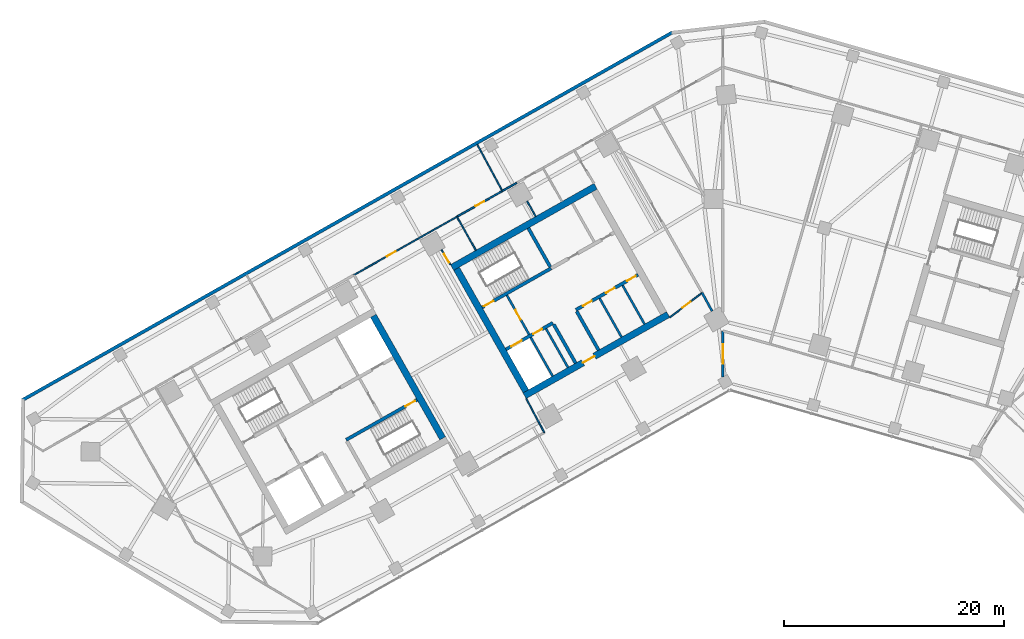
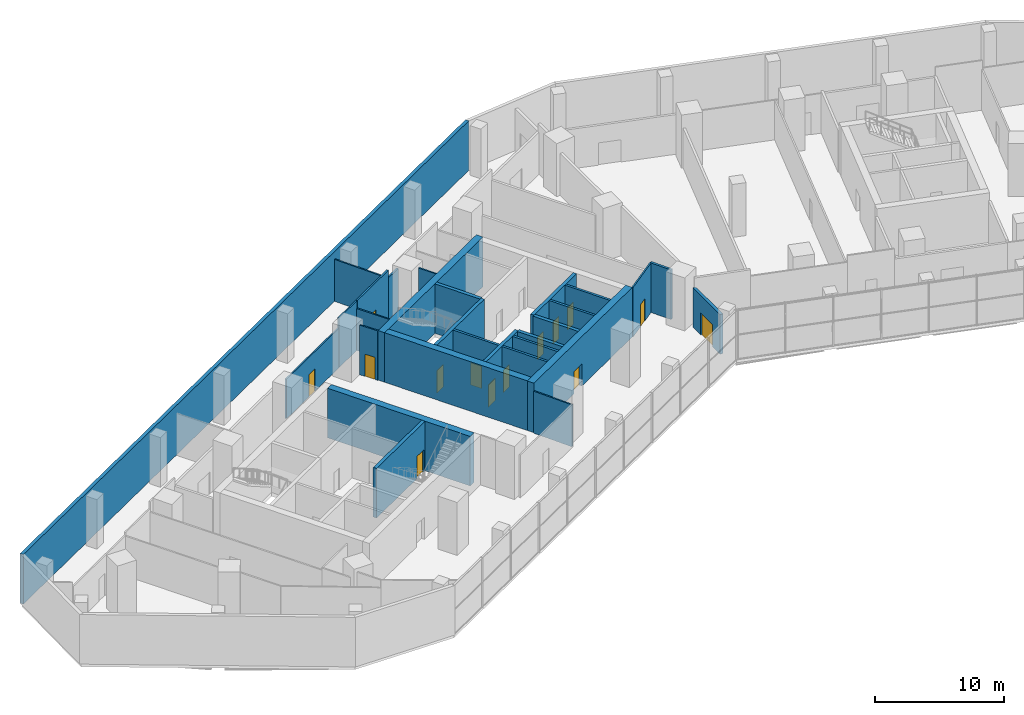
# One storey, part 9 of 16: 29 walls, 14 doors, 14 openings.
"""IFC4 building model written with IfcOpenShell, lengths in metres."""

from ifc_helpers import new_model, si_unit, direction, frame, frame_2d, origin, place, context, subcontext, project, spatial, rectangle, extrude, material, layer, layer_set, type_object, element, fill, save


model = new_model("IFC4")

# Units and contexts
model_context = context("Model", 3, precision=1e-05, world=origin(), true_north=direction((0.0, 1.0)))
body_context = subcontext(model_context, "Body", "Model", "MODEL_VIEW")
ifc_project = project(units=[si_unit("LENGTHUNIT", "METRE"), si_unit("AREAUNIT", "SQUARE_METRE"), si_unit("VOLUMEUNIT", "CUBIC_METRE"), si_unit("PLANEANGLEUNIT", "RADIAN"), si_unit("MASSUNIT", "GRAM", prefix="KILO")], contexts=[model_context])

# Site, building, storey
site_placement = place(None, origin())
site = spatial("IfcSite", under=ifc_project, at=site_placement, CompositionType="ELEMENT")
building_placement = place(site_placement, origin())
building = spatial("IfcBuilding", under=site, at=building_placement, Name="Binnacle Exchange Tower", CompositionType="ELEMENT")
storey_placement = place(building_placement, frame((0.0, 0.0, 21.5)))
storey = spatial("IfcBuildingStorey", under=building, at=storey_placement, Name="L04", CompositionType="ELEMENT", Elevation=21.5)

# Walls
ifc_material_1 = material(Name="Gypsum partition fire rated")
ifc_layer_1 = layer(ifc_material_1, 0.199951171875)
ifc_layer_set_1 = layer_set([ifc_layer_1], Name="Core partition 200")
wall_type_1 = type_object("IfcWallType", Name="Core partition 200", PredefinedType="PARTITIONING", material=ifc_layer_set_1)
wall_1_placement = place(storey_placement, frame((-11.201904296875, 50.96240234375, 0.0), z_axis=(0.0, 0.0, 1.0), x_axis=(0.49241474071, -0.870360685654, 0.0)))
element("IfcWall", 1, at=wall_1_placement, inside=storey, type_object=wall_type_1, Name="Core wall CRWC19", PredefinedType="PARTITIONING", context=body_context, shape_type="SweptSolid", body=[
    extrude(rectangle(XDim=4.05029296875, YDim=0.199951171875, at=frame_2d((2.025146484375, 0.0))), origin(), (0.0, 0.0, 1.0), 4.679931640625),
])
wall_2_placement = place(storey_placement, frame((-9.11279296875, 52.14404296875, 0.0), z_axis=(0.0, 0.0, 1.0), x_axis=(0.492394910396, -0.870371904542, 0.0)))
element("IfcWall", 2, at=wall_2_placement, inside=storey, type_object=wall_type_1, Name="Core wall CRWC22", PredefinedType="PARTITIONING", context=body_context, shape_type="SweptSolid", body=[
    extrude(rectangle(XDim=4.0498046875, YDim=0.199951171875, at=frame_2d((2.02490234375, 0.0))), origin(), (0.0, 0.0, 1.0), 4.679931640625),
])

# Wall, openings, doors
ifc_material_2 = material(Name="Concrete C70/85", Category="concrete")
ifc_layer_2 = layer(ifc_material_2, 0.300048828125)
ifc_layer_set_2 = layer_set([ifc_layer_2], Name="Core wall - front 300")
wall_type_2 = type_object("IfcWallType", Name="Core wall - front 300", PredefinedType="SOLIDWALL", material=ifc_layer_set_2)
wall_3_placement = place(storey_placement, frame((-19.718017578125, 46.31640625, 0.0), z_axis=(0.0, 0.0, 1.0), x_axis=(0.870353963862, 0.492426621528, 0.0)))
wall_3 = element("IfcWall", 3, at=wall_3_placement, inside=storey, type_object=wall_type_2, Name="Core wall CRWC2", PredefinedType="SOLIDWALL", context=body_context, shape_type="SweptSolid", body=[
    extrude(rectangle(XDim=4.89990234375, YDim=0.300048828125, at=frame_2d((2.449951171875, 0.0))), origin(), (0.0, 0.0, 1.0), 4.679931640625),
])
opening_1_placement = place(wall_3_placement, frame((0.550048828125, 0.0, 0.0)))
opening_1 = element("IfcOpeningElement", 4, at=opening_1_placement, cuts=wall_3, Name="Opening LD14", PredefinedType="OPENING", context=body_context, shape_type="SweptSolid", body=[
    extrude(rectangle(XDim=1.10009765625, YDim=2.10009765625, at=frame_2d((0.550048828125, 1.050048828125))), frame((0.0, 0.159912109375, 0.0), z_axis=(0.0, -1.0, 0.0), x_axis=(1.0, 0.0, 0.0)), (0.0, 0.0, 1.0), 0.320068359375),
])
opening_2_placement = place(wall_3_placement, frame((2.85009765625, 0.0, 0.0)))
opening_2 = element("IfcOpeningElement", 5, at=opening_2_placement, cuts=wall_3, Name="Opening DC14", PredefinedType="OPENING", context=body_context, shape_type="SweptSolid", body=[
    extrude(rectangle(XDim=0.89990234375, YDim=2.10009765625, at=frame_2d((0.449951171875, 1.050048828125))), frame((0.0, 0.159912109375, 0.0), z_axis=(0.0, -1.0, 0.0), x_axis=(1.0, 0.0, 0.0)), (0.0, 0.0, 1.0), 0.320068359375),
])
ifc_material_3 = material(Name="Steel door leaf", Category="steel")
door_type_1 = type_object("IfcDoorType", Name="Fire door - lift landing 1100", OperationType="NOTDEFINED", PredefinedType="DOOR", material=ifc_material_3)
door_1_placement = place(opening_1_placement, origin())
door_1 = element("IfcDoor", 6, at=door_1_placement, inside=storey, type_object=door_type_1, Name="Landing door LD14 L04", OperationType="DOUBLE_DOOR_SLIDING", OverallHeight=2.10009765625, OverallWidth=1.10009765625, PredefinedType="DOOR", context=body_context, shape_type="SweptSolid", body=[
    extrude(rectangle(XDim=1.10009765625, YDim=2.10009765625, at=frame_2d((0.550048828125, 1.050048828125))), frame((0.0, 0.02490234375, 0.0), z_axis=(0.0, -1.0, 0.0), x_axis=(1.0, 0.0, 0.0)), (0.0, 0.0, 1.0), 0.050048828125),
])
fill(opening_1, door_1)
door_type_2 = type_object("IfcDoorType", Name="Fire door 900", OperationType="NOTDEFINED", PredefinedType="DOOR", material=ifc_material_3)
door_2_placement = place(opening_2_placement, frame((0.89990234375, 0.0, 0.0), z_axis=(0.0, 0.0, 1.0), x_axis=(-1.0, 0.0, 0.0)))
door_2 = element("IfcDoor", 7, at=door_2_placement, inside=storey, type_object=door_type_2, Name="Core room door UPS CUPBOARD", OperationType="SINGLE_SWING_LEFT", OverallHeight=2.10009765625, OverallWidth=0.89990234375, PredefinedType="DOOR", context=body_context, shape_type="SweptSolid", body=[
    extrude(rectangle(XDim=0.89990234375, YDim=2.10009765625, at=frame_2d((0.449951171875, 1.050048828125))), frame((0.0, 0.02490234375, 0.0), z_axis=(0.0, -1.0, 0.0), x_axis=(1.0, 0.0, 0.0)), (0.0, 0.0, 1.0), 0.050048828125),
])
fill(opening_2, door_2)

wall_4_placement = place(storey_placement, frame((-13.364501953125, 49.910888671875, 0.0), z_axis=(0.0, 0.0, 1.0), x_axis=(0.870340995471, 0.49244954219, 0.0)))
wall_4 = element("IfcWall", 8, at=wall_4_placement, inside=storey, type_object=wall_type_2, Name="Core wall CRWC3", PredefinedType="SOLIDWALL", context=body_context, shape_type="SweptSolid", body=[
    extrude(rectangle(XDim=6.5, YDim=0.300048828125, at=frame_2d((3.25, 0.0))), origin(), (0.0, 0.0, 1.0), 4.679931640625),
])
opening_3_placement = place(wall_4_placement, frame((0.75, 0.0, 0.0)))
opening_3 = element("IfcOpeningElement", 9, at=opening_3_placement, cuts=wall_4, Name="Opening DC18", PredefinedType="OPENING", context=body_context, shape_type="SweptSolid", body=[
    extrude(rectangle(XDim=0.89990234375, YDim=2.10009765625, at=frame_2d((0.449951171875, 1.050048828125))), frame((0.0, 0.159912109375, 0.0), z_axis=(0.0, -1.0, 0.0), x_axis=(1.0, 0.0, 0.0)), (0.0, 0.0, 1.0), 0.320068359375),
])
opening_4_placement = place(wall_4_placement, frame((3.14990234375, 0.0, 0.0)))
opening_4 = element("IfcOpeningElement", 10, at=opening_4_placement, cuts=wall_4, Name="Opening DC19", PredefinedType="OPENING", context=body_context, shape_type="SweptSolid", body=[
    extrude(rectangle(XDim=0.89990234375, YDim=2.10009765625, at=frame_2d((0.449951171875, 1.050048828125))), frame((0.0, 0.159912109375, 0.0), z_axis=(0.0, -1.0, 0.0), x_axis=(1.0, 0.0, 0.0)), (0.0, 0.0, 1.0), 0.320068359375),
])
opening_5_placement = place(wall_4_placement, frame((5.35009765625, 0.0, 0.0)))
opening_5 = element("IfcOpeningElement", 11, at=opening_5_placement, cuts=wall_4, Name="Opening DC20", PredefinedType="OPENING", context=body_context, shape_type="SweptSolid", body=[
    extrude(rectangle(XDim=0.89990234375, YDim=2.10009765625, at=frame_2d((0.449951171875, 1.050048828125))), frame((0.0, 0.159912109375, 0.0), z_axis=(0.0, -1.0, 0.0), x_axis=(1.0, 0.0, 0.0)), (0.0, 0.0, 1.0), 0.320068359375),
])
door_3_placement = place(opening_3_placement, frame((0.89990234375, 0.0, 0.0), z_axis=(0.0, 0.0, 1.0), x_axis=(-1.0, 0.0, 0.0)))
door_3 = element("IfcDoor", 12, at=door_3_placement, inside=storey, type_object=door_type_2, Name="Core room door FIBRE ENTRY ROOM", OperationType="SINGLE_SWING_RIGHT", OverallHeight=2.10009765625, OverallWidth=0.89990234375, PredefinedType="DOOR", context=body_context, shape_type="SweptSolid", body=[
    extrude(rectangle(XDim=0.89990234375, YDim=2.10009765625, at=frame_2d((0.449951171875, 1.050048828125))), frame((0.0, 0.02490234375, 0.0), z_axis=(0.0, -1.0, 0.0), x_axis=(1.0, 0.0, 0.0)), (0.0, 0.0, 1.0), 0.050048828125),
])
fill(opening_3, door_3)
door_4_placement = place(opening_4_placement, frame((0.89990234375, 0.0, 0.0), z_axis=(0.0, 0.0, 1.0), x_axis=(-1.0, 0.0, 0.0)))
door_4 = element("IfcDoor", 13, at=door_4_placement, inside=storey, type_object=door_type_2, Name="Core room door ELECTRICAL ROOM", OperationType="SINGLE_SWING_LEFT", OverallHeight=2.10009765625, OverallWidth=0.89990234375, PredefinedType="DOOR", context=body_context, shape_type="SweptSolid", body=[
    extrude(rectangle(XDim=0.89990234375, YDim=2.10009765625, at=frame_2d((0.449951171875, 1.050048828125))), frame((0.0, 0.02490234375, 0.0), z_axis=(0.0, -1.0, 0.0), x_axis=(1.0, 0.0, 0.0)), (0.0, 0.0, 1.0), 0.050048828125),
])
fill(opening_4, door_4)
door_5_placement = place(opening_5_placement, frame((0.89990234375, 0.0, 0.0), z_axis=(0.0, 0.0, 1.0), x_axis=(-1.0, 0.0, 0.0)))
door_5 = element("IfcDoor", 14, at=door_5_placement, inside=storey, type_object=door_type_2, Name="Core room door COMMS RISER ROOM", OperationType="SINGLE_SWING_LEFT", OverallHeight=2.10009765625, OverallWidth=0.89990234375, PredefinedType="DOOR", context=body_context, shape_type="SweptSolid", body=[
    extrude(rectangle(XDim=0.89990234375, YDim=2.10009765625, at=frame_2d((0.449951171875, 1.050048828125))), frame((0.0, 0.02490234375, 0.0), z_axis=(0.0, -1.0, 0.0), x_axis=(1.0, 0.0, 0.0)), (0.0, 0.0, 1.0), 0.050048828125),
])
fill(opening_5, door_5)

# Walls
for number, where, z_axis, x_axis, name in (
    (15, (-15.37939453125, 48.5986328125, 0.0), (0.0, 0.0, 1.0), (0.492394910396, -0.870371904542, 0.0), "Core wall CRWC13"),
    (16, (-13.29052734375, 49.780517578125, 0.0), (0.0, 0.0, 1.0), (0.492394910396, -0.870371904542, 0.0), "Core wall CRWC15"),
):
    element("IfcWall", number, at=place(storey_placement, frame(where, z_axis=z_axis, x_axis=x_axis)), inside=storey, type_object=wall_type_2, Name=name, PredefinedType="SOLIDWALL", context=body_context, shape_type="SweptSolid", body=[
        extrude(rectangle(XDim=4.0498046875, YDim=0.300048828125, at=frame_2d((2.02490234375, 0.0))), origin(), (0.0, 0.0, 1.0), 4.679931640625),
    ])
ifc_layer_3 = layer(ifc_material_2, 0.60009765625)
ifc_layer_set_3 = layer_set([ifc_layer_3], Name="Core wall - outer 600")
wall_type_3 = type_object("IfcWallType", Name="Core wall - outer 600", PredefinedType="SOLIDWALL", material=ifc_layer_set_3)
wall_5_placement = place(storey_placement, frame((-31.7783203125, 49.3740234375, 0.0), z_axis=(0.0, 0.0, 1.0), x_axis=(0.492433046652, -0.870350328641, 0.0)))
element("IfcWall", 17, at=wall_5_placement, inside=storey, type_object=wall_type_3, Name="Core wall CRWA22", PredefinedType="SOLIDWALL", context=body_context, shape_type="SweptSolid", body=[
    extrude(rectangle(XDim=12.800048828125, YDim=0.60009765625, at=frame_2d((6.39990234375, 0.0))), origin(), (0.0, 0.0, 1.0), 4.679931640625),
])

# Wall, opening, door
wall_6_placement = place(storey_placement, frame((-18.0244140625, 42.104248046875, 0.0), z_axis=(0.0, 0.0, 1.0), x_axis=(0.870360574057, 0.492414937962, 0.0)))
wall_6 = element("IfcWall", 18, at=wall_6_placement, inside=storey, type_object=wall_type_3, Name="Core wall CRWC1", PredefinedType="SOLIDWALL", context=body_context, shape_type="SweptSolid", body=[
    extrude(rectangle(XDim=15.0, YDim=0.60009765625, at=frame_2d((7.5, 0.0))), origin(), (0.0, 0.0, 1.0), 4.679931640625),
])
opening_6_placement = place(wall_6_placement, frame((6.10009765625, 0.0, 0.0)))
opening_6 = element("IfcOpeningElement", 19, at=opening_6_placement, cuts=wall_6, Name="Opening DC7", PredefinedType="OPENING", context=body_context, shape_type="SweptSolid", body=[
    extrude(rectangle(XDim=1.199951171875, YDim=2.10009765625, at=frame_2d((0.60009765625, 1.050048828125))), frame((0.0, 0.31005859375, 0.0), z_axis=(0.0, -1.0, 0.0), x_axis=(1.0, 0.0, 0.0)), (0.0, 0.0, 1.0), 0.6201171875),
])
door_type_3 = type_object("IfcDoorType", Name="Fire door 1200", OperationType="NOTDEFINED", PredefinedType="DOOR", material=ifc_material_3)
door_6_placement = place(opening_6_placement, frame((1.199951171875, 0.0, 0.0), z_axis=(0.0, 0.0, 1.0), x_axis=(-1.0, 0.0, 0.0)))
door_6 = element("IfcDoor", 20, at=door_6_placement, inside=storey, type_object=door_type_3, Name="Lift lobby entrance door core C", OperationType="SINGLE_SWING_RIGHT", OverallHeight=2.10009765625, OverallWidth=1.199951171875, PredefinedType="DOOR", context=body_context, shape_type="SweptSolid", body=[
    extrude(rectangle(XDim=1.199951171875, YDim=2.10009765625, at=frame_2d((0.60009765625, 1.050048828125))), frame((0.0, 0.02490234375, 0.0), z_axis=(0.0, -1.0, 0.0), x_axis=(1.0, 0.0, 0.0)), (0.0, 0.0, 1.0), 0.050048828125),
])
fill(opening_6, door_6)

# Walls
wall_7_placement = place(storey_placement, frame((-24.622802734375, 53.76708984375, 0.0), z_axis=(0.0, 0.0, 1.0), x_axis=(0.870356627484, 0.492421913601, 0.0)))
element("IfcWall", 21, at=wall_7_placement, inside=storey, type_object=wall_type_3, Name="Core wall CRWC6", PredefinedType="SOLIDWALL", context=body_context, shape_type="SweptSolid", body=[
    extrude(rectangle(XDim=14.999755859375, YDim=0.60009765625, at=frame_2d((7.5, 0.0))), origin(), (0.0, 0.0, 1.0), 4.679931640625),
])
wall_8_placement = place(storey_placement, frame((-24.214111328125, 53.653564453125, 0.0), z_axis=(0.0, 0.0, 1.0), x_axis=(0.492441221355, -0.870345703448, 0.0)))
element("IfcWall", 22, at=wall_8_placement, inside=storey, type_object=wall_type_3, Name="Core wall CRWC7", PredefinedType="SOLIDWALL", context=body_context, shape_type="SweptSolid", body=[
    extrude(rectangle(XDim=12.800048828125, YDim=0.60009765625, at=frame_2d((6.39990234375, 0.0))), origin(), (0.0, 0.0, 1.0), 4.679931640625),
])

# Wall, opening, door
ifc_layer_4 = layer(ifc_material_2, 0.300048828125)
ifc_layer_set_4 = layer_set([ifc_layer_4], Name="Core wall - stair 300")
wall_type_4 = type_object("IfcWallType", Name="Core wall - stair 300", PredefinedType="SOLIDWALL", material=ifc_layer_set_4)
wall_9_placement = place(storey_placement, frame((-34.2451171875, 38.097412109375, 0.0), z_axis=(0.0, 0.0, 1.0), x_axis=(0.870364910201, 0.492407273597, 0.0)))
wall_9 = element("IfcWall", 23, at=wall_9_placement, inside=storey, type_object=wall_type_4, Name="Core wall CRWA3", PredefinedType="SOLIDWALL", context=body_context, shape_type="SweptSolid", body=[
    extrude(rectangle(XDim=7.39990234375, YDim=0.300048828125, at=frame_2d((3.699951171875, 0.0))), origin(), (0.0, 0.0, 1.0), 4.679931640625),
])
opening_7_placement = place(wall_9_placement, frame((6.199951171875, 0.0, 0.0)))
opening_7 = element("IfcOpeningElement", 24, at=opening_7_placement, cuts=wall_9, Name="Opening DA2", PredefinedType="OPENING", context=body_context, shape_type="SweptSolid", body=[
    extrude(rectangle(XDim=1.0, YDim=2.10009765625, at=frame_2d((0.5, 1.050048828125))), frame((0.0, 0.159912109375, 0.0), z_axis=(0.0, -1.0, 0.0), x_axis=(1.0, 0.0, 0.0)), (0.0, 0.0, 1.0), 0.320068359375),
])
door_type_4 = type_object("IfcDoorType", Name="Fire door 1000", OperationType="NOTDEFINED", PredefinedType="DOOR", material=ifc_material_3)
door_7_placement = place(opening_7_placement, frame((1.0, 0.0, 0.0), z_axis=(0.0, 0.0, 1.0), x_axis=(-1.0, 0.0, 0.0)))
door_7 = element("IfcDoor", 25, at=door_7_placement, inside=storey, type_object=door_type_4, Name="Stair door ST-A2", OperationType="SINGLE_SWING_LEFT", OverallHeight=2.10009765625, OverallWidth=1.0, PredefinedType="DOOR", context=body_context, shape_type="SweptSolid", body=[
    extrude(rectangle(XDim=1.0, YDim=2.10009765625, at=frame_2d((0.5, 1.050048828125))), frame((0.0, 0.02490234375, 0.0), z_axis=(0.0, -1.0, 0.0), x_axis=(1.0, 0.0, 0.0)), (0.0, 0.0, 1.0), 0.050048828125),
])
fill(opening_7, door_7)

wall_10_placement = place(storey_placement, frame((-21.884765625, 50.14599609375, 0.0), z_axis=(0.0, 0.0, 1.0), x_axis=(0.870359411463, 0.492416992881, 0.0)))
wall_10 = element("IfcWall", 26, at=wall_10_placement, inside=storey, type_object=wall_type_4, Name="Core wall CRWC4", PredefinedType="SOLIDWALL", context=body_context, shape_type="SweptSolid", body=[
    extrude(rectangle(XDim=7.199951171875, YDim=0.300048828125, at=frame_2d((3.60009765625, 0.0))), origin(), (0.0, 0.0, 1.0), 4.679931640625),
])
opening_8_placement = place(wall_10_placement, frame((0.199951171875, 0.0, 0.0)))
opening_8 = element("IfcOpeningElement", 27, at=opening_8_placement, cuts=wall_10, Name="Opening DC1", PredefinedType="OPENING", context=body_context, shape_type="SweptSolid", body=[
    extrude(rectangle(XDim=1.0, YDim=2.10009765625, at=frame_2d((0.5, 1.050048828125))), frame((0.0, 0.159912109375, 0.0), z_axis=(0.0, -1.0, 0.0), x_axis=(1.0, 0.0, 0.0)), (0.0, 0.0, 1.0), 0.320068359375),
])
door_8_placement = place(opening_8_placement, origin())
door_8 = element("IfcDoor", 28, at=door_8_placement, inside=storey, type_object=door_type_4, Name="Stair door ST-C1", OperationType="SINGLE_SWING_LEFT", OverallHeight=2.10009765625, OverallWidth=1.0, PredefinedType="DOOR", context=body_context, shape_type="SweptSolid", body=[
    extrude(rectangle(XDim=1.0, YDim=2.10009765625, at=frame_2d((0.5, 1.050048828125))), frame((0.0, 0.02490234375, 0.0), z_axis=(0.0, -1.0, 0.0), x_axis=(1.0, 0.0, 0.0)), (0.0, 0.0, 1.0), 0.050048828125),
])
fill(opening_8, door_8)

# Walls
wall_11_placement = place(storey_placement, frame((-17.686279296875, 57.3466796875, 0.0), z_axis=(0.0, 0.0, 1.0), x_axis=(0.492420746998, -0.870357287513, 0.0)))
element("IfcWall", 29, at=wall_11_placement, inside=storey, type_object=wall_type_4, Name="Core wall CRWC14", PredefinedType="SOLIDWALL", context=body_context, shape_type="SweptSolid", body=[
    extrude(rectangle(XDim=4.049560546875, YDim=0.300048828125, at=frame_2d((2.02490234375, 0.0))), origin(), (0.0, 0.0, 1.0), 4.679931640625),
])
ifc_material_4 = material(Name="Bronze aluminium louvre", Category="aluminium")
ifc_layer_5 = layer(ifc_material_4, 0.300048828125)
ifc_layer_set_5 = layer_set([ifc_layer_5], Name="External wall - podium louvre 300")
wall_type_5 = type_object("IfcWallType", Name="External wall - podium louvre 300", PredefinedType="STANDARD", material=ifc_layer_set_5)
wall_12_placement = place(storey_placement, frame((-63.706787109375, 41.701171875, 0.0), z_axis=(0.0, 0.0, 1.0), x_axis=(0.870355510268, 0.492423888277, 0.0)))
element("IfcWall", 30, at=wall_12_placement, inside=storey, type_object=wall_type_5, Name="External wall EW-P02 L04", PredefinedType="STANDARD", context=body_context, shape_type="SweptSolid", body=[
    extrude(rectangle(XDim=67.9033203125, YDim=0.300048828125, at=frame_2d((33.95166015625, 0.0))), origin(), (0.0, 0.0, 1.0), 4.679931640625),
])
ifc_material_5 = material(Name="Masonry block wall", Category="masonry")
ifc_layer_6 = layer(ifc_material_5, 0.199951171875)
ifc_layer_set_6 = layer_set([ifc_layer_6], Name="Fire wall - block 200")
wall_type_6 = type_object("IfcWallType", Name="Fire wall - block 200", PredefinedType="PARTITIONING", material=ifc_layer_set_6)
wall_13_placement = place(storey_placement, frame((-1.883056640625, 51.467041015625, 0.0), z_axis=(0.0, 0.0, 1.0), x_axis=(0.477162952876, -0.878814836244, 0.0)))
element("IfcWall", 31, at=wall_13_placement, inside=storey, type_object=wall_type_6, Name="Partition W40", PredefinedType="PARTITIONING", context=body_context, shape_type="SweptSolid", body=[
    extrude(rectangle(XDim=1.89453125, YDim=0.199951171875, at=frame_2d((0.947265625, 0.0))), origin(), (0.0, 0.0, 1.0), 4.679931640625),
])

# Wall, opening, door
ifc_material_6 = material(Name="Concrete fire wall C30/37", Category="concrete")
ifc_layer_7 = layer(ifc_material_6, 0.25)
ifc_layer_set_7 = layer_set([ifc_layer_7], Name="Fire wall - compartment 250")
wall_type_7 = type_object("IfcWallType", Name="Fire wall - compartment 250", PredefinedType="PARTITIONING", material=ifc_layer_set_7)
wall_14_placement = place(storey_placement, frame((0.0, 43.805908203125, 0.0), z_axis=(0.0, 0.0, 1.0), x_axis=(0.0, 1.0, 0.0)))
wall_14 = element("IfcWall", 32, at=wall_14_placement, inside=storey, type_object=wall_type_7, Name="Fire Wall W41", PredefinedType="PARTITIONING", context=body_context, shape_type="SweptSolid", body=[
    extrude(rectangle(XDim=4.194091796875, YDim=0.25, at=frame_2d((2.09716796875, 0.0))), origin(), (0.0, 0.0, 1.0), 3.741943359375),
])
opening_9_placement = place(wall_14_placement, frame((1.199951171875, 0.0, 0.0)))
opening_9 = element("IfcOpeningElement", 33, at=opening_9_placement, cuts=wall_14, Name="Opening DL03-31", PredefinedType="OPENING", context=body_context, shape_type="SweptSolid", body=[
    extrude(rectangle(XDim=1.800048828125, YDim=2.10009765625, at=frame_2d((0.89990234375, 1.050048828125))), frame((0.0, 0.135009765625, 0.0), z_axis=(0.0, -1.0, 0.0), x_axis=(1.0, 0.0, 0.0)), (0.0, 0.0, 1.0), 0.27001953125),
])
door_type_5 = type_object("IfcDoorType", Name="Fire door 1800", OperationType="NOTDEFINED", PredefinedType="DOOR", material=ifc_material_3)
door_9_placement = place(opening_9_placement, origin())
door_9 = element("IfcDoor", 34, at=door_9_placement, inside=storey, type_object=door_type_5, Name="Door DL03-31", OperationType="DOUBLE_DOOR_SINGLE_SWING", OverallHeight=2.10009765625, OverallWidth=1.800048828125, PredefinedType="DOOR", context=body_context, shape_type="SweptSolid", body=[
    extrude(rectangle(XDim=1.800048828125, YDim=2.10009765625, at=frame_2d((0.89990234375, 1.050048828125))), frame((0.0, 0.02490234375, 0.0), z_axis=(0.0, -1.0, 0.0), x_axis=(1.0, 0.0, 0.0)), (0.0, 0.0, 1.0), 0.050048828125),
])
fill(opening_9, door_9)

ifc_layer_8 = layer(ifc_material_5, 0.199951171875)
ifc_layer_set_8 = layer_set([ifc_layer_8], Name="Fire wall - vestibule 200")
wall_type_8 = type_object("IfcWallType", Name="Fire wall - vestibule 200", PredefinedType="PARTITIONING", material=ifc_layer_set_8)
wall_15_placement = place(storey_placement, frame((-19.635009765625, 51.246337890625, 0.0), z_axis=(0.0, 0.0, 1.0), x_axis=(0.492408451753, -0.87036424366, 0.0)))
wall_15 = element("IfcWall", 35, at=wall_15_placement, inside=storey, type_object=wall_type_8, Name="Core wall CRWC10", PredefinedType="PARTITIONING", context=body_context, shape_type="SweptSolid", body=[
    extrude(rectangle(XDim=4.099853515625, YDim=0.199951171875, at=frame_2d((2.0498046875, 0.0))), origin(), (0.0, 0.0, 1.0), 4.679931640625),
])
opening_10_placement = place(wall_15_placement, frame((1.550048828125, 0.0, 0.0)))
opening_10 = element("IfcOpeningElement", 36, at=opening_10_placement, cuts=wall_15, Name="Opening DC3", PredefinedType="OPENING", context=body_context, shape_type="SweptSolid", body=[
    extrude(rectangle(XDim=1.0, YDim=2.10009765625, at=frame_2d((0.5, 1.050048828125))), frame((0.0, 0.10986328125, 0.0), z_axis=(0.0, -1.0, 0.0), x_axis=(1.0, 0.0, 0.0)), (0.0, 0.0, 1.0), 0.219970703125),
])
door_10_placement = place(opening_10_placement, frame((1.0, 0.0, 0.0), z_axis=(0.0, 0.0, 1.0), x_axis=(-1.0, 0.0, 0.0)))
door_10 = element("IfcDoor", 37, at=door_10_placement, inside=storey, type_object=door_type_4, Name="Vestibule door VEST-W", OperationType="SINGLE_SWING_RIGHT", OverallHeight=2.10009765625, OverallWidth=1.0, PredefinedType="DOOR", context=body_context, shape_type="SweptSolid", body=[
    extrude(rectangle(XDim=1.0, YDim=2.10009765625, at=frame_2d((0.5, 1.050048828125))), frame((0.0, 0.02490234375, 0.0), z_axis=(0.0, -1.0, 0.0), x_axis=(1.0, 0.0, 0.0)), (0.0, 0.0, 1.0), 0.050048828125),
])
fill(opening_10, door_10)

ifc_layer_9 = layer(ifc_material_1, 0.14990234375)
ifc_layer_set_9 = layer_set([ifc_layer_9], Name="Fire-rated partition 150")
wall_type_9 = type_object("IfcWallType", Name="Fire-rated partition 150", PredefinedType="PARTITIONING", material=ifc_layer_set_9)
wall_16_placement = place(storey_placement, frame((-24.179931640625, 58.384033203125, 0.0), z_axis=(0.0, 0.0, 1.0), x_axis=(0.870360772617, 0.492414587, 0.0)))
wall_16 = element("IfcWall", 38, at=wall_16_placement, inside=storey, type_object=wall_type_9, Name="Partition W24", PredefinedType="PARTITIONING", context=body_context, shape_type="SweptSolid", body=[
    extrude(rectangle(XDim=4.749755859375, YDim=0.14990234375, at=frame_2d((2.375, 0.0))), origin(), (0.0, 0.0, 1.0), 4.679931640625),
])
opening_11_placement = place(wall_16_placement, frame((1.949951171875, 0.0, 0.0)))
opening_11 = element("IfcOpeningElement", 39, at=opening_11_placement, cuts=wall_16, Name="Opening DL03-13", PredefinedType="OPENING", context=body_context, shape_type="SweptSolid", body=[
    extrude(rectangle(XDim=0.89990234375, YDim=2.10009765625, at=frame_2d((0.449951171875, 1.050048828125))), frame((0.0, 0.0849609375, 0.0), z_axis=(0.0, -1.0, 0.0), x_axis=(1.0, 0.0, 0.0)), (0.0, 0.0, 1.0), 0.169921875),
])
door_11_placement = place(opening_11_placement, frame((0.89990234375, 0.0, 0.0), z_axis=(0.0, 0.0, 1.0), x_axis=(-1.0, 0.0, 0.0)))
door_11 = element("IfcDoor", 40, at=door_11_placement, inside=storey, type_object=door_type_2, Name="Door DL03-13", OperationType="SINGLE_SWING_LEFT", OverallHeight=2.10009765625, OverallWidth=0.89990234375, PredefinedType="DOOR", context=body_context, shape_type="SweptSolid", body=[
    extrude(rectangle(XDim=0.89990234375, YDim=2.10009765625, at=frame_2d((0.449951171875, 1.050048828125))), frame((0.0, 0.02490234375, 0.0), z_axis=(0.0, -1.0, 0.0), x_axis=(1.0, 0.0, 0.0)), (0.0, 0.0, 1.0), 0.050048828125),
])
fill(opening_11, door_11)

# Wall
wall_17_placement = place(storey_placement, frame((-20.0458984375, 60.722900390625, 0.0), z_axis=(0.0, 0.0, 1.0), x_axis=(0.870308175411, 0.492507542899, 0.0)))
element("IfcWall", 41, at=wall_17_placement, inside=storey, type_object=wall_type_9, Name="Partition W27", PredefinedType="PARTITIONING", context=body_context, shape_type="SweptSolid", body=[
    extrude(rectangle(XDim=1.50048828125, YDim=0.14990234375, at=frame_2d((0.750244140625, 0.0))), origin(), (0.0, 0.0, 1.0), 3.951904296875),
])

# Wall, opening, door
ifc_material_7 = material(Name="Gypsum partition")
ifc_layer_10 = layer(ifc_material_7, 0.125)
ifc_layer_set_10 = layer_set([ifc_layer_10], Name="Partition 125")
wall_type_10 = type_object("IfcWallType", Name="Partition 125", PredefinedType="PARTITIONING", material=ifc_layer_set_10)
wall_18_placement = place(storey_placement, frame((-33.535888671875, 53.090087890625, 0.0), z_axis=(0.0, 0.0, 1.0), x_axis=(0.870327439455, 0.492473499928, 0.0)))
wall_18 = element("IfcWall", 42, at=wall_18_placement, inside=storey, type_object=wall_type_10, Name="Partition W19", PredefinedType="PARTITIONING", context=body_context, shape_type="SweptSolid", body=[
    extrude(rectangle(XDim=8.000244140625, YDim=0.125, at=frame_2d((4.0, 0.0))), origin(), (0.0, 0.0, 1.0), 3.741943359375),
])
opening_12_placement = place(wall_18_placement, frame((3.449951171875, 0.0, 0.0)))
opening_12 = element("IfcOpeningElement", 43, at=opening_12_placement, cuts=wall_18, Name="Opening DL03-05", PredefinedType="OPENING", context=body_context, shape_type="SweptSolid", body=[
    extrude(rectangle(XDim=0.89990234375, YDim=2.10009765625, at=frame_2d((0.449951171875, 1.050048828125))), frame((0.0, 0.072509765625, 0.0), z_axis=(0.0, -1.0, 0.0), x_axis=(1.0, 0.0, 0.0)), (0.0, 0.0, 1.0), 0.14501953125),
])
ifc_material_8 = material(Name="Timber door leaf", Category="wood")
door_type_6 = type_object("IfcDoorType", Name="Door 900", OperationType="NOTDEFINED", PredefinedType="DOOR", material=ifc_material_8)
door_12_placement = place(opening_12_placement, origin())
door_12 = element("IfcDoor", 44, at=door_12_placement, inside=storey, type_object=door_type_6, Name="Door DL03-05", OperationType="SINGLE_SWING_LEFT", OverallHeight=2.10009765625, OverallWidth=0.89990234375, PredefinedType="DOOR", context=body_context, shape_type="SweptSolid", body=[
    extrude(rectangle(XDim=0.89990234375, YDim=2.10009765625, at=frame_2d((0.449951171875, 1.050048828125))), frame((0.0, 0.02490234375, 0.0), z_axis=(0.0, -1.0, 0.0), x_axis=(1.0, 0.0, 0.0)), (0.0, 0.0, 1.0), 0.050048828125),
])
fill(opening_12, door_12)

# Wall
wall_19_placement = place(storey_placement, frame((-26.572998046875, 57.030029296875, 0.0), z_axis=(0.0, 0.0, 1.0), x_axis=(0.870344460795, 0.492443417626, 0.0)))
element("IfcWall", 45, at=wall_19_placement, inside=storey, type_object=wall_type_10, Name="Partition W20", PredefinedType="PARTITIONING", context=body_context, shape_type="SweptSolid", body=[
    extrude(rectangle(XDim=2.74951171875, YDim=0.125, at=frame_2d((1.374755859375, 0.0))), origin(), (0.0, 0.0, 1.0), 4.679931640625),
])

# Wall, opening, door
wall_20_placement = place(storey_placement, frame((-25.5869140625, 55.386962890625, 0.0), z_axis=(0.0, 0.0, 1.0), x_axis=(0.514767546849, -0.857329792268, 0.0)))
wall_20 = element("IfcWall", 46, at=wall_20_placement, inside=storey, type_object=wall_type_10, Name="Partition W21", PredefinedType="PARTITIONING", context=body_context, shape_type="SweptSolid", body=[
    extrude(rectangle(XDim=1.5849609375, YDim=0.125, at=frame_2d((0.79248046875, 0.0))), origin(), (0.0, 0.0, 1.0), 4.679931640625),
])
opening_13_placement = place(wall_20_placement, frame((0.449951171875, 0.0, 0.0)))
opening_13 = element("IfcOpeningElement", 47, at=opening_13_placement, cuts=wall_20, Name="Opening DL03-12", PredefinedType="OPENING", context=body_context, shape_type="SweptSolid", body=[
    extrude(rectangle(XDim=0.89990234375, YDim=2.10009765625, at=frame_2d((0.449951171875, 1.050048828125))), frame((0.0, 0.072509765625, 0.0), z_axis=(0.0, -1.0, 0.0), x_axis=(1.0, 0.0, 0.0)), (0.0, 0.0, 1.0), 0.14501953125),
])
door_13_placement = place(opening_13_placement, origin())
door_13 = element("IfcDoor", 48, at=door_13_placement, inside=storey, type_object=door_type_6, Name="Door DL03-12", OperationType="SINGLE_SWING_RIGHT", OverallHeight=2.10009765625, OverallWidth=0.89990234375, PredefinedType="DOOR", context=body_context, shape_type="SweptSolid", body=[
    extrude(rectangle(XDim=0.89990234375, YDim=2.10009765625, at=frame_2d((0.449951171875, 1.050048828125))), frame((0.0, 0.02490234375, 0.0), z_axis=(0.0, -1.0, 0.0), x_axis=(1.0, 0.0, 0.0)), (0.0, 0.0, 1.0), 0.050048828125),
])
fill(opening_13, door_13)

# Walls
wall_21_placement = place(storey_placement, frame((-24.179931640625, 58.384033203125, 0.0), z_axis=(0.0, 0.0, 1.0), x_axis=(0.492521469645, -0.870300294116, 0.0)))
element("IfcWall", 49, at=wall_21_placement, inside=storey, type_object=wall_type_10, Name="Partition W23", PredefinedType="PARTITIONING", context=body_context, shape_type="SweptSolid", body=[
    extrude(rectangle(XDim=3.5, YDim=0.125, at=frame_2d((1.75, 0.0))), origin(), (0.0, 0.0, 1.0), 3.9599609375),
])
wall_22_placement = place(storey_placement, frame((-22.330078125, 64.93896484375, 0.0), z_axis=(0.0, 0.0, 1.0), x_axis=(0.476360236723, -0.879250206067, 0.0)))
element("IfcWall", 50, at=wall_22_placement, inside=storey, type_object=wall_type_10, Name="Partition W26", PredefinedType="PARTITIONING", context=body_context, shape_type="SweptSolid", body=[
    extrude(rectangle(XDim=4.795166015625, YDim=0.125, at=frame_2d((2.3974609375, 0.0))), origin(), (0.0, 0.0, 1.0), 3.9599609375),
])
wall_23_placement = place(storey_placement, frame((-17.876953125, 41.843017578125, 0.0), z_axis=(0.0, 0.0, 1.0), x_axis=(0.469799130562, -0.882773344026, 0.0)))
element("IfcWall", 51, at=wall_23_placement, inside=storey, type_object=wall_type_10, Name="Partition W29", PredefinedType="PARTITIONING", context=body_context, shape_type="SweptSolid", body=[
    extrude(rectangle(XDim=3.50146484375, YDim=0.125, at=frame_2d((1.750732421875, 0.0))), origin(), (0.0, 0.0, 1.0), 3.9599609375),
])
wall_24_placement = place(storey_placement, frame((-17.797119140625, 59.7939453125, 0.0), z_axis=(0.0, 0.0, 1.0), x_axis=(0.492366981934, -0.870387703901, 0.0)))
element("IfcWall", 52, at=wall_24_placement, inside=storey, type_object=wall_type_10, Name="Partition W30", PredefinedType="PARTITIONING", context=body_context, shape_type="SweptSolid", body=[
    extrude(rectangle(XDim=1.584228515625, YDim=0.125, at=frame_2d((0.7919921875, 0.0))), origin(), (0.0, 0.0, 1.0), 4.679931640625),
])

# Wall, opening, door
wall_25_placement = place(storey_placement, frame((-4.821044921875, 49.22998046875, 0.0), z_axis=(0.0, 0.0, 1.0), x_axis=(0.795615322848, 0.605802160816, 0.0)))
wall_25 = element("IfcWall", 53, at=wall_25_placement, inside=storey, type_object=wall_type_10, Name="Partition W39", PredefinedType="PARTITIONING", context=body_context, shape_type="SweptSolid", body=[
    extrude(rectangle(XDim=3.692626953125, YDim=0.125, at=frame_2d((1.84619140625, 0.0))), origin(), (0.0, 0.0, 1.0), 4.679931640625),
])
opening_14_placement = place(wall_25_placement, frame((1.449951171875, 0.0, 0.0)))
opening_14 = element("IfcOpeningElement", 54, at=opening_14_placement, cuts=wall_25, Name="Opening DL03-03", PredefinedType="OPENING", context=body_context, shape_type="SweptSolid", body=[
    extrude(rectangle(XDim=0.89990234375, YDim=2.10009765625, at=frame_2d((0.449951171875, 1.050048828125))), frame((0.0, 0.072509765625, 0.0), z_axis=(0.0, -1.0, 0.0), x_axis=(1.0, 0.0, 0.0)), (0.0, 0.0, 1.0), 0.14501953125),
])
door_14_placement = place(opening_14_placement, origin())
door_14 = element("IfcDoor", 55, at=door_14_placement, inside=storey, type_object=door_type_6, Name="Door DL03-03", OperationType="SINGLE_SWING_RIGHT", OverallHeight=2.10009765625, OverallWidth=0.89990234375, PredefinedType="DOOR", context=body_context, shape_type="SweptSolid", body=[
    extrude(rectangle(XDim=0.89990234375, YDim=2.10009765625, at=frame_2d((0.449951171875, 1.050048828125))), frame((0.0, 0.02490234375, 0.0), z_axis=(0.0, -1.0, 0.0), x_axis=(1.0, 0.0, 0.0)), (0.0, 0.0, 1.0), 0.050048828125),
])
fill(opening_14, door_14)

# Walls
ifc_layer_11 = layer(ifc_material_5, 0.199951171875)
ifc_layer_set_11 = layer_set([ifc_layer_11], Name="Riser wall 200")
wall_type_11 = type_object("IfcWallType", Name="Riser wall 200", PredefinedType="SOLIDWALL", material=ifc_layer_set_11)
wall_26_placement = place(storey_placement, frame((-16.07568359375, 48.20458984375, 0.0), z_axis=(0.0, 0.0, 1.0), x_axis=(0.492394910396, -0.870371904542, 0.0)))
element("IfcWall", 56, at=wall_26_placement, inside=storey, type_object=wall_type_11, Name="Core wall CRWC12", PredefinedType="SOLIDWALL", context=body_context, shape_type="SweptSolid", body=[
    extrude(rectangle(XDim=4.0498046875, YDim=0.199951171875, at=frame_2d((2.02490234375, 0.0))), origin(), (0.0, 0.0, 1.0), 4.679931640625),
])
ifc_layer_12 = layer(ifc_material_5, 0.199951171875)
ifc_layer_set_12 = layer_set([ifc_layer_12], Name="Shaft wall 200")
wall_type_12 = type_object("IfcWallType", Name="Shaft wall 200", PredefinedType="SOLIDWALL", material=ifc_layer_set_12)
wall_27_placement = place(storey_placement, frame((-17.468505859375, 47.416748046875, 0.0), z_axis=(0.0, 0.0, 1.0), x_axis=(0.492440575896, -0.870346068648, 0.0)))
element("IfcWall", 57, at=wall_27_placement, inside=storey, type_object=wall_type_12, Name="Core wall CRWC9", PredefinedType="SOLIDWALL", context=body_context, shape_type="SweptSolid", body=[
    extrude(rectangle(XDim=4.050048828125, YDim=0.199951171875, at=frame_2d((2.02490234375, 0.0))), origin(), (0.0, 0.0, 1.0), 4.679931640625),
])

save(model, "model.ifc")
